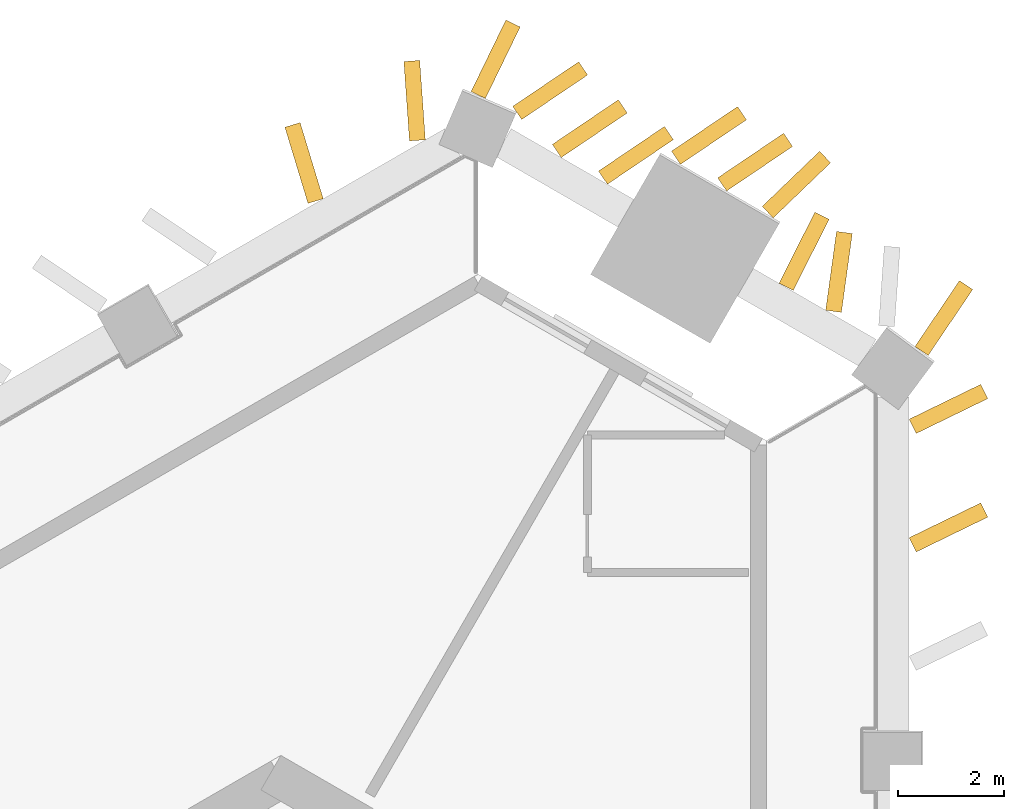
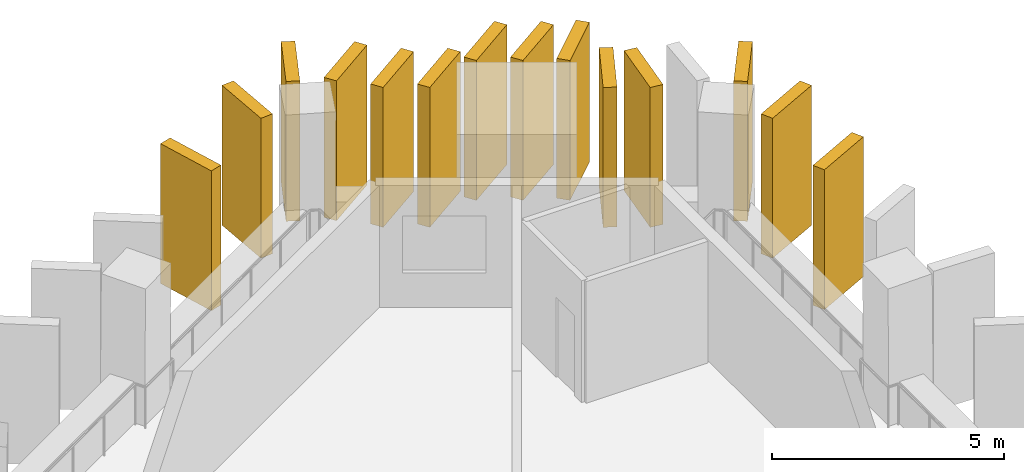
# One storey, part 10 of 10: 14 shading devices.
"""IFC4 building model written with IfcOpenShell, lengths in metres."""

from ifc_helpers import new_model, si_unit, direction, frame, frame_2d, origin, place, context, subcontext, project, spatial, rectangle, extrude, material, layer, layer_set, type_object, element, save


model = new_model("IFC4")

# Units and contexts
model_context = context("Model", 3, precision=1e-05, world=origin(), true_north=direction((0.0, 1.0)))
body_context = subcontext(model_context, "Body", "Model", "MODEL_VIEW")
ifc_project = project(units=[si_unit("LENGTHUNIT", "METRE"), si_unit("AREAUNIT", "SQUARE_METRE"), si_unit("VOLUMEUNIT", "CUBIC_METRE"), si_unit("PLANEANGLEUNIT", "RADIAN"), si_unit("MASSUNIT", "GRAM", prefix="KILO")], contexts=[model_context])

# Site, building, storey
site_placement = place(None, origin())
site = spatial("IfcSite", under=ifc_project, at=site_placement, CompositionType="ELEMENT")
building_placement = place(site_placement, origin())
building = spatial("IfcBuilding", under=site, at=building_placement, Name="Jabali Bay Hotel Tower and Convention Centre", CompositionType="ELEMENT")
storey_placement = place(building_placement, frame((0.0, 0.0, 68.39990234375)))
storey = spatial("IfcBuildingStorey", under=building, at=storey_placement, Name="L15", CompositionType="ELEMENT", Elevation=68.39990234375)

# Shading devices
ifc_material = material(Name="Precast concrete C60", Category="concrete")
ifc_layer = layer(ifc_material, 0.300048828125)
ifc_layer_set = layer_set([ifc_layer], Name="Precast concrete C60")
shading_device_type = type_object("IfcShadingDeviceType", Name="Precast fin 3680 x 1500", PredefinedType="USERDEFINED", material=ifc_layer_set)
for number, where, z_axis, x_axis, name in (
    (1, (98.6328125, 107.919677734375, 0.010009765625), (0.0, 0.0, 1.0), (0.899129499022, 0.43768269784, 0.0), "Fin L15 026"),
    (2, (98.6328125, 110.1533203125, 0.010009765625), (0.0, 0.0, 1.0), (0.899129499022, 0.43768269784, 0.0), "Fin L15 027"),
    (3, (97.14111328125, 112.321044921875, 0.010009765625), (0.0, 0.0, 1.0), (0.136224330469, 0.990678016203, 0.0), "Fin L15 029"),
):
    element("IfcShadingDevice", number, at=place(storey_placement, frame(where, z_axis=z_axis, x_axis=x_axis)), inside=storey, type_object=shading_device_type, Name=name, ObjectType="FIN", PredefinedType="USERDEFINED", context=body_context, shape_type="SweptSolid", body=[
        extrude(rectangle(XDim=1.5, YDim=0.300048828125, at=frame_2d((0.75, 0.0))), origin(), (0.0, 0.0, 1.0), 3.68017578125),
    ])
shading_device_placement = place(storey_placement, frame((96.2470703125, 112.78173828125, 0.010009765625), z_axis=(0.0, 0.0, 1.0), x_axis=(0.450140528022, 0.892957728581, 0.0)))
element("IfcShadingDevice", 4, at=shading_device_placement, inside=storey, type_object=shading_device_type, Name="Fin L15 030", ObjectType="FIN", PredefinedType="USERDEFINED", context=body_context, shape_type="SweptSolid", body=[
    extrude(rectangle(XDim=1.500244140625, YDim=0.300048828125, at=frame_2d((0.75, 0.0))), origin(), (0.0, 0.0, 1.0), 3.68017578125),
])
for number, where, z_axis, x_axis, name in (
    (5, (95.899658203125, 114.189697265625, 0.010009765625), (0.0, 0.0, 1.0), (0.720886233518, 0.693053416645, 0.0), "Fin L15 031"),
    (6, (95.04150390625, 114.712890625, 0.010009765625), (0.0, 0.0, 1.0), (0.828578765843, 0.559872511196, 0.0), "Fin L15 032"),
    (7, (94.17138671875, 115.21533203125, 0.010009765625), (0.0, 0.0, 1.0), (0.828654266351, 0.55976075859, 0.0), "Fin L15 033"),
    (8, (92.794921875, 114.8408203125, 0.010009765625), (0.0, 0.0, 1.0), (0.828578765843, 0.559872511196, 0.0), "Fin L15 034"),
    (9, (91.9248046875, 115.34326171875, 0.010009765625), (0.0, 0.0, 1.0), (0.828578765843, 0.559872511196, 0.0), "Fin L15 035"),
    (10, (91.178466796875, 116.06005859375, 0.010009765625), (0.0, 0.0, 1.0), (0.828578765843, 0.559872511196, 0.0), "Fin L15 036"),
    (11, (89.297119140625, 115.543212890625, 0.010009765625), (0.0, 0.0, 1.0), (-0.070472092405, 0.99751375138, 0.0), "Fin L15 037"),
    (12, (87.378662109375, 114.399169921875, 0.010009765625), (0.0, 0.0, 1.0), (-0.290526843489, 0.956866841944, 0.0), "Fin L15 038"),
    (13, (98.799560546875, 111.5732421875, 0.010009765625), (0.0, 0.0, 1.0), (0.559872511196, 0.828578765843, 0.0), "Fin L15 112"),
    (14, (90.443359375, 116.397705078125, 0.010009765625), (0.0, 0.0, 1.0), (0.43768269784, 0.899129499022, 0.0), "Fin L15 113"),
):
    element("IfcShadingDevice", number, at=place(storey_placement, frame(where, z_axis=z_axis, x_axis=x_axis)), inside=storey, type_object=shading_device_type, Name=name, ObjectType="FIN", PredefinedType="USERDEFINED", context=body_context, shape_type="SweptSolid", body=[
        extrude(rectangle(XDim=1.5, YDim=0.300048828125, at=frame_2d((0.75, 0.0))), origin(), (0.0, 0.0, 1.0), 3.68017578125),
    ])

save(model, "model.ifc")
